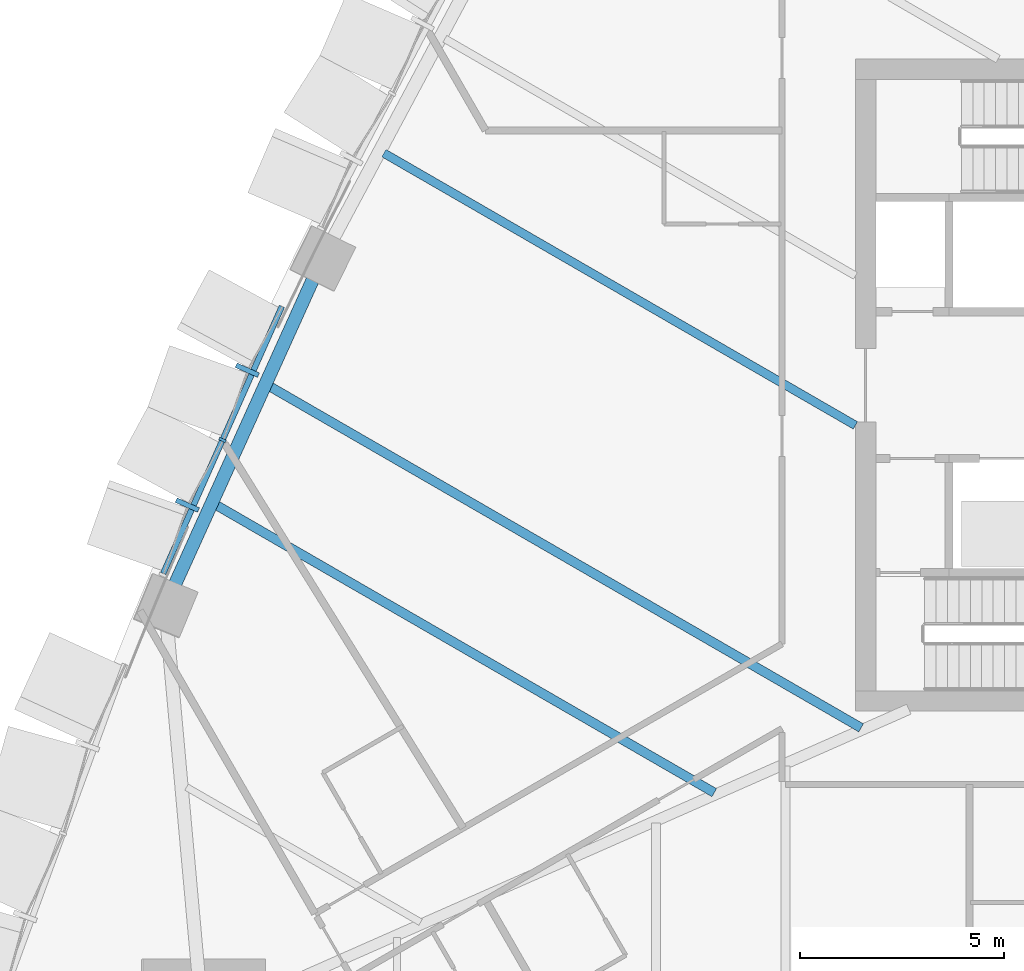
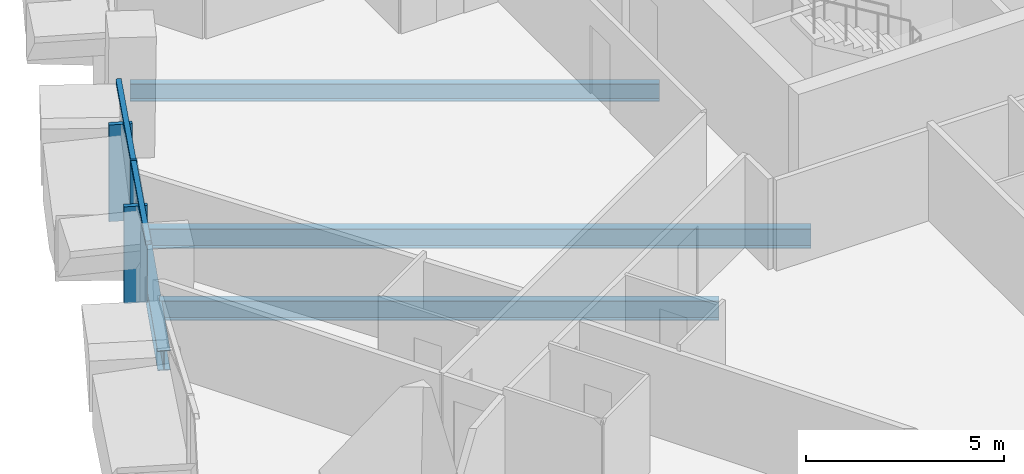
# One storey, part 3 of 24: 5 members, 4 beams, 1 element without a shape of its own.
"""IFC4 building model written with IfcOpenShell, lengths in metres."""

from ifc_helpers import new_model, si_unit, direction, frame, origin, origin_2d, place, context, subcontext, project, spatial, rectangle, i_section, extrude, material, layer, layer_set, material_profile, profile_set, type_object, element, aggregate, save


model = new_model("IFC4")

# Units and contexts
model_context = context("Model", 3, precision=1e-05, world=origin(), true_north=direction((0.0, 1.0)))
body_context = subcontext(model_context, "Body", "Model", "MODEL_VIEW")
ifc_project = project(units=[si_unit("LENGTHUNIT", "METRE"), si_unit("AREAUNIT", "SQUARE_METRE"), si_unit("VOLUMEUNIT", "CUBIC_METRE"), si_unit("PLANEANGLEUNIT", "RADIAN"), si_unit("MASSUNIT", "GRAM", prefix="KILO")], contexts=[model_context])

# Site, building, storey
site_placement = place(None, origin())
site = spatial("IfcSite", under=ifc_project, at=site_placement, CompositionType="ELEMENT")
building_placement = place(site_placement, origin())
building = spatial("IfcBuilding", under=site, at=building_placement, Name="Sierra Prisma Convention Tower", CompositionType="ELEMENT")
storey_placement = place(building_placement, frame((0.0, 0.0, 55.39990234375)))
storey = spatial("IfcBuildingStorey", under=building, at=storey_placement, Name="L09", CompositionType="ELEMENT", Elevation=55.39990234375)

# Curtain wall, members
ifc_material_1 = material(Name="Aluminium and glass curtain wall", Category="aluminium")
ifc_layer = layer(ifc_material_1, 0.179931640625)
ifc_layer_set = layer_set([ifc_layer], Name="CW-2 Faceted crystal curtain wall")
curtain_wall_type = type_object("IfcCurtainWallType", Name="CW-2 Faceted crystal curtain wall", PredefinedType="NOTDEFINED", material=ifc_layer_set)
curtain_wall_placement = place(storey_placement, origin())
curtain_wall = element("IfcCurtainWall", 1, at=curtain_wall_placement, inside=storey, type_object=curtain_wall_type, Name="CW-2 NW5 L09", PredefinedType="NOTDEFINED")
ifc_material_2 = material(Name="Aluminium 6063-T6 bronze anodised", Category="aluminium")
ifc_material_profile_1 = material_profile(ifc_material_2, rectangle(XDim=0.1201171875, YDim=0.60009765625, at=origin_2d()), Name="ALU RIDGE BLADE 120x600")
ifc_profile_set_1 = profile_set([ifc_material_profile_1], Name="Aluminium 6063-T6 bronze anodised")
member_type_1 = type_object("IfcMemberType", Name="CW hip bronze", PredefinedType="MULLION", material=ifc_profile_set_1)
member_1_placement = place(storey_placement, frame((-25.9189453125, 0.36474609375, 0.0), z_axis=(0.0, 0.0, 1.0), x_axis=(-0.406135672492, -0.913812790198, 0.0)))
member_1 = element("IfcMember", 2, at=member_1_placement, type_object=member_type_1, Name="CW-2 ridge NW5.1", PredefinedType="MULLION", context=body_context, shape_type="SweptSolid", body=[
    extrude(rectangle(XDim=0.1201171875, YDim=0.60009765625, at=origin_2d()), origin(), (0.0, 0.0, 1.0), 2.97998046875),
])
member_2_placement = place(storey_placement, frame((-27.3896484375, -2.9443359375, 0.0), z_axis=(0.0, 0.0, 1.0), x_axis=(-0.406135672492, -0.913812790198, 0.0)))
member_2 = element("IfcMember", 3, at=member_2_placement, type_object=member_type_1, Name="CW-2 ridge NW5.2", PredefinedType="MULLION", context=body_context, shape_type="SweptSolid", body=[
    extrude(rectangle(XDim=0.1201171875, YDim=0.60009765625, at=origin_2d()), origin(), (0.0, 0.0, 1.0), 2.97998046875),
])
ifc_material_3 = material(Name="Aluminium 6063-T6 bronze anodised", Category="aluminium")
ifc_material_profile_2 = material_profile(ifc_material_3, rectangle(XDim=0.179931640625, YDim=0.070068359375, at=origin_2d()), Name="ALU MULLION 70x180")
ifc_profile_set_2 = profile_set([ifc_material_profile_2], Name="Aluminium 6063-T6 bronze anodised")
member_type_2 = type_object("IfcMemberType", Name="CW mullion bronze", PredefinedType="MULLION", material=ifc_profile_set_2)
member_3_placement = place(storey_placement, frame((-26.526611328125, -1.3466796875, 0.0), z_axis=(0.0, 0.0, 1.0), x_axis=(0.913812790198, -0.406135672492, 0.0)))
member_3 = element("IfcMember", 4, at=member_3_placement, type_object=member_type_2, Name="CW-1 mullion NW5.2", PredefinedType="MULLION", context=body_context, shape_type="SweptSolid", body=[
    extrude(rectangle(XDim=0.179931640625, YDim=0.070068359375, at=origin_2d()), origin(), (0.0, 0.0, 1.0), 3.10009765625),
])
ifc_material_4 = material(Name="Aluminium 6063-T6 bronze anodised", Category="aluminium")
ifc_material_profile_3 = material_profile(ifc_material_4, rectangle(XDim=0.139892578125, YDim=0.1201171875, at=origin_2d()), Name="ALU TRANSOM 120x140")
ifc_profile_set_3 = profile_set([ifc_material_profile_3], Name="Aluminium 6063-T6 bronze anodised")
member_type_3 = type_object("IfcMemberType", Name="CW transom bronze", PredefinedType="USERDEFINED", material=ifc_profile_set_3)
member_4_placement = place(storey_placement, frame((-25.0703125, 1.930419921875, 3.0400390625), z_axis=(-0.406106571451, -0.913825723333, 0.0), x_axis=(0.913825723333, -0.406106571451, 0.0)))
member_4 = element("IfcMember", 5, at=member_4_placement, type_object=member_type_3, Name="CW-1 transom NW5.1", ObjectType="TRANSOM", PredefinedType="USERDEFINED", context=body_context, shape_type="SweptSolid", body=[
    extrude(rectangle(XDim=0.139892578125, YDim=0.1201171875, at=origin_2d()), origin(), (0.0, 0.0, 1.0), 3.551025390625),
])
member_5_placement = place(storey_placement, frame((-26.540771484375, -1.378662109375, 3.0400390625), z_axis=(-0.406163980667, -0.913800208366, 0.0), x_axis=(0.913800208366, -0.406163980667, 0.0)))
member_5 = element("IfcMember", 6, at=member_5_placement, type_object=member_type_3, Name="CW-1 transom NW5.2", ObjectType="TRANSOM", PredefinedType="USERDEFINED", context=body_context, shape_type="SweptSolid", body=[
    extrude(rectangle(XDim=0.139892578125, YDim=0.1201171875, at=origin_2d()), origin(), (0.0, 0.0, 1.0), 3.55126953125),
])
aggregate(curtain_wall, [member_3, member_4, member_1, member_5, member_2])

# Beams
ifc_material_5 = material(Name="Steel ASTM A992 Gr 50", Category="steel")
ifc_material_profile_4 = material_profile(ifc_material_5, i_section(OverallWidth=0.208984375, OverallDepth=0.532958984375, WebThickness=0.01025390625, FlangeThickness=0.015625, at=origin_2d()), Name="W530x92")
ifc_profile_set_4 = profile_set([ifc_material_profile_4], Name="Steel ASTM A992 Gr 50")
beam_type_1 = type_object("IfcBeamType", Name="Floor joist W530x92", PredefinedType="JOIST", material=ifc_profile_set_4)
beam_1_placement = place(storey_placement, frame((-22.569091796875, 5.6904296875, -0.41650390625), z_axis=(0.866024590318, -0.500001408963, 0.0), x_axis=(0.500001408963, 0.866024590318, 0.0)))
element("IfcBeam", 7, at=beam_1_placement, inside=storey, type_object=beam_type_1, Name="Floor joist L09 NW11", PredefinedType="JOIST", context=body_context, shape_type="SweptSolid", body=[
    extrude(i_section(OverallWidth=0.208984375, OverallDepth=0.532958984375, WebThickness=0.01025390625, FlangeThickness=0.015625, at=origin_2d()), origin(), (0.0, 0.0, 1.0), 13.35888671875),
])
ifc_material_6 = material(Name="Steel ASTM A992 Gr 50", Category="steel")
ifc_material_profile_5 = material_profile(ifc_material_6, i_section(OverallWidth=0.22802734375, OverallDepth=0.60302734375, WebThickness=0.010498046875, FlangeThickness=0.014892578125, at=origin_2d()), Name="W610x101")
ifc_profile_set_5 = profile_set([ifc_material_profile_5], Name="Steel ASTM A992 Gr 50")
beam_type_2 = type_object("IfcBeamType", Name="Floor joist W610x101", PredefinedType="JOIST", material=ifc_profile_set_5)
beam_2_placement = place(storey_placement, frame((-25.372314453125, -0.031005859375, -0.451416015625), z_axis=(0.866021820837, -0.500006205796, 0.0), x_axis=(0.500006205796, 0.866021820837, 0.0)))
element("IfcBeam", 8, at=beam_2_placement, inside=storey, type_object=beam_type_2, Name="Floor joist L09 NW13", PredefinedType="JOIST", context=body_context, shape_type="SweptSolid", body=[
    extrude(i_section(OverallWidth=0.22802734375, OverallDepth=0.60302734375, WebThickness=0.010498046875, FlangeThickness=0.014892578125, at=origin_2d()), origin(), (0.0, 0.0, 1.0), 16.757568359375),
])
beam_3_placement = place(storey_placement, frame((-26.6884765625, -2.941162109375, -0.451416015625), z_axis=(0.866025174864, -0.500000396502, 0.0), x_axis=(0.500000396502, 0.866025174864, 0.0)))
element("IfcBeam", 9, at=beam_3_placement, inside=storey, type_object=beam_type_2, Name="Floor joist L09 NW14", PredefinedType="JOIST", context=body_context, shape_type="SweptSolid", body=[
    extrude(i_section(OverallWidth=0.22802734375, OverallDepth=0.60302734375, WebThickness=0.010498046875, FlangeThickness=0.014892578125, at=origin_2d()), origin(), (0.0, 0.0, 1.0), 14.1171875),
])
ifc_material_7 = material(Name="Steel ASTM A992 Gr 50", Category="steel")
ifc_material_profile_6 = material_profile(ifc_material_7, i_section(OverallWidth=0.324951171875, OverallDepth=0.615966796875, WebThickness=0.013916015625, FlangeThickness=0.021484375, at=origin_2d()), Name="W610x174")
ifc_profile_set_6 = profile_set([ifc_material_profile_6], Name="Steel ASTM A992 Gr 50")
beam_type_3 = type_object("IfcBeamType", Name="Spandrel beam W610x174", PredefinedType="BEAM", material=ifc_profile_set_6)
beam_4_placement = place(storey_placement, frame((-24.275634765625, 2.66748046875, -0.4580078125), z_axis=(-0.412077615075, -0.911148746997, 0.0), x_axis=(0.911148746997, -0.412077615075, 0.0)))
element("IfcBeam", 10, at=beam_4_placement, inside=storey, type_object=beam_type_3, Name="Spandrel L09-17", PredefinedType="BEAM", context=body_context, shape_type="SweptSolid", body=[
    extrude(i_section(OverallWidth=0.324951171875, OverallDepth=0.615966796875, WebThickness=0.013916015625, FlangeThickness=0.021484375, at=origin_2d()), origin(), (0.0, 0.0, 1.0), 8.39404296875),
])

save(model, "model.ifc")
